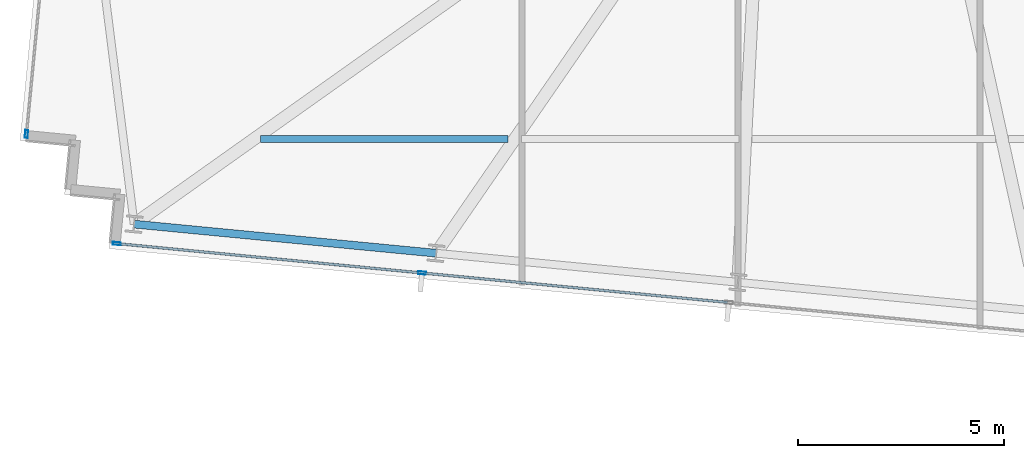
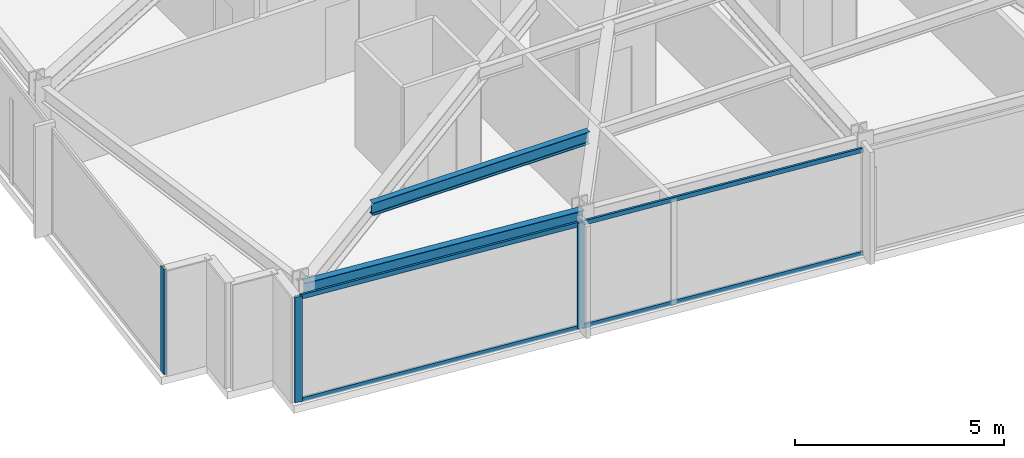
# One storey, part 2 of 37: 7 members, 2 beams, 2 elements without a shape of their own.
"""IFC4 building model written with IfcOpenShell, lengths in metres."""

from ifc_helpers import new_model, si_unit, direction, frame, origin, origin_2d, place, context, subcontext, project, spatial, hollow_rectangle, i_section, extrude, material, material_profile, profile_set, type_object, element, aggregate, save


model = new_model("IFC4")

# Units and contexts
model_context = context("Model", 3, precision=1e-05, world=origin(), true_north=direction((0.0, 1.0)))
body_context = subcontext(model_context, "Body", "Model", "MODEL_VIEW")
ifc_project = project(units=[si_unit("LENGTHUNIT", "METRE"), si_unit("AREAUNIT", "SQUARE_METRE"), si_unit("VOLUMEUNIT", "CUBIC_METRE"), si_unit("PLANEANGLEUNIT", "RADIAN"), si_unit("MASSUNIT", "GRAM", prefix="KILO")], contexts=[model_context])

# Site, building, storey
site_placement = place(None, origin())
site = spatial("IfcSite", under=ifc_project, at=site_placement, CompositionType="ELEMENT")
building_placement = place(site_placement, origin())
building = spatial("IfcBuilding", under=site, at=building_placement, Name="Yelkora Congress Tower", CompositionType="ELEMENT")
storey_placement = place(building_placement, frame((0.0, 0.0, 158.89990234375)))
storey = spatial("IfcBuildingStorey", under=building, at=storey_placement, Name="L43", CompositionType="ELEMENT", Elevation=158.89990234375)

# Beams
ifc_material_1 = material(Name="Steel S355J2", Category="steel")
ifc_material_profile_1 = material_profile(ifc_material_1, i_section(OverallWidth=0.169921875, OverallDepth=0.360107421875, WebThickness=0.008056640625, FlangeThickness=0.0126953125, FilletRadius=0.01806640625, at=origin_2d()), Name="IPE 360")
ifc_profile_set_1 = profile_set([ifc_material_profile_1], Name="Steel S355J2")
beam_type_1 = type_object("IfcBeamType", Name="BM-JOIST-IPE360", PredefinedType="JOIST", material=ifc_profile_set_1)
beam_1_placement = place(storey_placement, frame((6.98779296875, 16.421142578125, 2.900146484375), z_axis=(1.0, 0.0, 0.0), x_axis=(0.0, 1.0, 0.0)))
element("IfcBeam", 1, at=beam_1_placement, inside=storey, type_object=beam_type_1, Name="L43 Composite Floor Joist 5", PredefinedType="JOIST", context=body_context, shape_type="SweptSolid", body=[
    extrude(i_section(OverallWidth=0.169921875, OverallDepth=0.360107421875, WebThickness=0.008056640625, FlangeThickness=0.0126953125, FilletRadius=0.01806640625, at=origin_2d()), origin(), (0.0, 0.0, 1.0), 6.002685546875),
])
ifc_material_profile_2 = material_profile(ifc_material_1, i_section(OverallWidth=0.18994140625, OverallDepth=0.449951171875, WebThickness=0.009521484375, FlangeThickness=0.0146484375, FilletRadius=0.02099609375, at=origin_2d()), Name="IPE 450")
ifc_profile_set_2 = profile_set([ifc_material_profile_2], Name="Steel S355J2")
beam_type_2 = type_object("IfcBeamType", Name="BM-SPAN-IPE450", PredefinedType="SPANDREL", material=ifc_profile_set_2)
beam_2_placement = place(storey_placement, frame((3.919189453125, 14.357421875, 2.85498046875), z_axis=(0.995393938538, -0.095869218844, 0.0), x_axis=(0.095869218844, 0.995393938538, 0.0)))
element("IfcBeam", 2, at=beam_2_placement, inside=storey, type_object=beam_type_2, Name="L43 Perimeter Beam 2", PredefinedType="SPANDREL", context=body_context, shape_type="SweptSolid", body=[
    extrude(i_section(OverallWidth=0.18994140625, OverallDepth=0.449951171875, WebThickness=0.009521484375, FlangeThickness=0.0146484375, FilletRadius=0.02099609375, at=origin_2d()), origin(), (0.0, 0.0, 1.0), 7.357177734375),
])

# Curtain wall, member
ifc_material_2 = material(Name="Anodised aluminium and insulated glass", Category="aluminium")
curtain_wall_type = type_object("IfcCurtainWallType", Name="CW-SYS-B3", PredefinedType="NOTDEFINED", material=ifc_material_2)
curtain_wall_1_placement = place(storey_placement, origin())
curtain_wall_1 = element("IfcCurtainWall", 3, at=curtain_wall_1_placement, inside=storey, type_object=curtain_wall_type, Name="L43 Unitised Curtain Wall 5", PredefinedType="NOTDEFINED")
ifc_material_3 = material(Name="Anodised aluminium 6063-T6", Category="aluminium")
ifc_material_profile_3 = material_profile(ifc_material_3, hollow_rectangle(XDim=0.070068359375, YDim=0.18994140625, WallThickness=0.00390625, at=origin_2d()), Name="ALU 70x190x4")
ifc_profile_set_3 = profile_set([ifc_material_profile_3], Name="Anodised aluminium 6063-T6")
member_type_1 = type_object("IfcMemberType", Name="MEM-ML-B3", PredefinedType="MULLION", material=ifc_profile_set_3)
member_1_placement = place(storey_placement, frame((1.306640625, 16.542724609375, 0.0), z_axis=(0.0, 0.0, 1.0), x_axis=(-0.995396242473, 0.095845294465, 0.0)))
member_1 = element("IfcMember", 4, at=member_1_placement, type_object=member_type_1, Name="CW-B3 mullion 1", PredefinedType="MULLION", context=body_context, shape_type="SweptSolid", body=[
    extrude(hollow_rectangle(XDim=0.070068359375, YDim=0.18994140625, WallThickness=0.00390625, at=origin_2d()), origin(), (0.0, 0.0, 1.0), 3.080078125),
])
aggregate(curtain_wall_1, [member_1])

# Curtain wall, members
curtain_wall_2_placement = place(storey_placement, origin())
curtain_wall_2 = element("IfcCurtainWall", 5, at=curtain_wall_2_placement, inside=storey, type_object=curtain_wall_type, Name="L43 Unitised Curtain Wall 20", PredefinedType="NOTDEFINED")
member_2_placement = place(storey_placement, frame((10.902099609375, 13.172607421875, 0.0), z_axis=(0.0, 0.0, 1.0), x_axis=(-0.095844680679, -0.995396301573, 0.0)))
member_2 = element("IfcMember", 6, at=member_2_placement, type_object=member_type_1, Name="CW-B3 mullion 7", PredefinedType="MULLION", context=body_context, shape_type="SweptSolid", body=[
    extrude(hollow_rectangle(XDim=0.070068359375, YDim=0.18994140625, WallThickness=0.00390625, at=origin_2d()), origin(), (0.0, 0.0, 1.0), 3.080078125),
])
member_3_placement = place(storey_placement, frame((3.4970703125, 13.885498046875, 0.0), z_axis=(0.0, 0.0, 1.0), x_axis=(-0.095844680679, -0.995396301573, 0.0)))
member_3 = element("IfcMember", 7, at=member_3_placement, type_object=member_type_1, Name="CW-B3 mullion 8", PredefinedType="MULLION", context=body_context, shape_type="SweptSolid", body=[
    extrude(hollow_rectangle(XDim=0.070068359375, YDim=0.18994140625, WallThickness=0.00390625, at=origin_2d()), origin(), (0.0, 0.0, 1.0), 3.080078125),
])
ifc_material_profile_4 = material_profile(ifc_material_3, hollow_rectangle(XDim=0.06005859375, YDim=0.1298828125, WallThickness=0.00390625, at=origin_2d()), Name="ALU 60x130x4")
ifc_profile_set_4 = profile_set([ifc_material_profile_4], Name="Anodised aluminium 6063-T6")
member_type_2 = type_object("IfcMemberType", Name="MEM-TR-B3", PredefinedType="USERDEFINED", material=ifc_profile_set_4)
member_4_placement = place(storey_placement, frame((18.30712890625, 12.45947265625, 0.030029296875), z_axis=(-0.99539548672, 0.095853142967, 0.0), x_axis=(-0.095853142967, -0.99539548672, 0.0)))
member_4 = element("IfcMember", 8, at=member_4_placement, type_object=member_type_2, Name="CW-B3 transom 6.1", ObjectType="TRANSOM", PredefinedType="USERDEFINED", context=body_context, shape_type="SweptSolid", body=[
    extrude(hollow_rectangle(XDim=0.06005859375, YDim=0.1298828125, WallThickness=0.00390625, at=origin_2d()), origin(), (0.0, 0.0, 1.0), 7.404296875),
])
member_5_placement = place(storey_placement, frame((18.30712890625, 12.45947265625, 3.050048828125), z_axis=(-0.99539548672, 0.095853142967, 0.0), x_axis=(-0.095853142967, -0.99539548672, 0.0)))
member_5 = element("IfcMember", 9, at=member_5_placement, type_object=member_type_2, Name="CW-B3 transom 6.2", ObjectType="TRANSOM", PredefinedType="USERDEFINED", context=body_context, shape_type="SweptSolid", body=[
    extrude(hollow_rectangle(XDim=0.06005859375, YDim=0.1298828125, WallThickness=0.00390625, at=origin_2d()), origin(), (0.0, 0.0, 1.0), 7.404296875),
])
member_6_placement = place(storey_placement, frame((10.8671875, 13.17578125, 0.030029296875), z_axis=(-0.995396212442, 0.095845606344, 0.0), x_axis=(-0.095845606344, -0.995396212442, 0.0)))
member_6 = element("IfcMember", 10, at=member_6_placement, type_object=member_type_2, Name="CW-B3 transom 7.1", ObjectType="TRANSOM", PredefinedType="USERDEFINED", context=body_context, shape_type="SweptSolid", body=[
    extrude(hollow_rectangle(XDim=0.06005859375, YDim=0.1298828125, WallThickness=0.00390625, at=origin_2d()), origin(), (0.0, 0.0, 1.0), 7.369140625),
])
member_7_placement = place(storey_placement, frame((10.8671875, 13.17578125, 3.050048828125), z_axis=(-0.995396212442, 0.095845606344, 0.0), x_axis=(-0.095845606344, -0.995396212442, 0.0)))
member_7 = element("IfcMember", 11, at=member_7_placement, type_object=member_type_2, Name="CW-B3 transom 7.2", ObjectType="TRANSOM", PredefinedType="USERDEFINED", context=body_context, shape_type="SweptSolid", body=[
    extrude(hollow_rectangle(XDim=0.06005859375, YDim=0.1298828125, WallThickness=0.00390625, at=origin_2d()), origin(), (0.0, 0.0, 1.0), 7.369140625),
])
aggregate(curtain_wall_2, [member_2, member_3, member_4, member_5, member_6, member_7])

save(model, "model.ifc")
